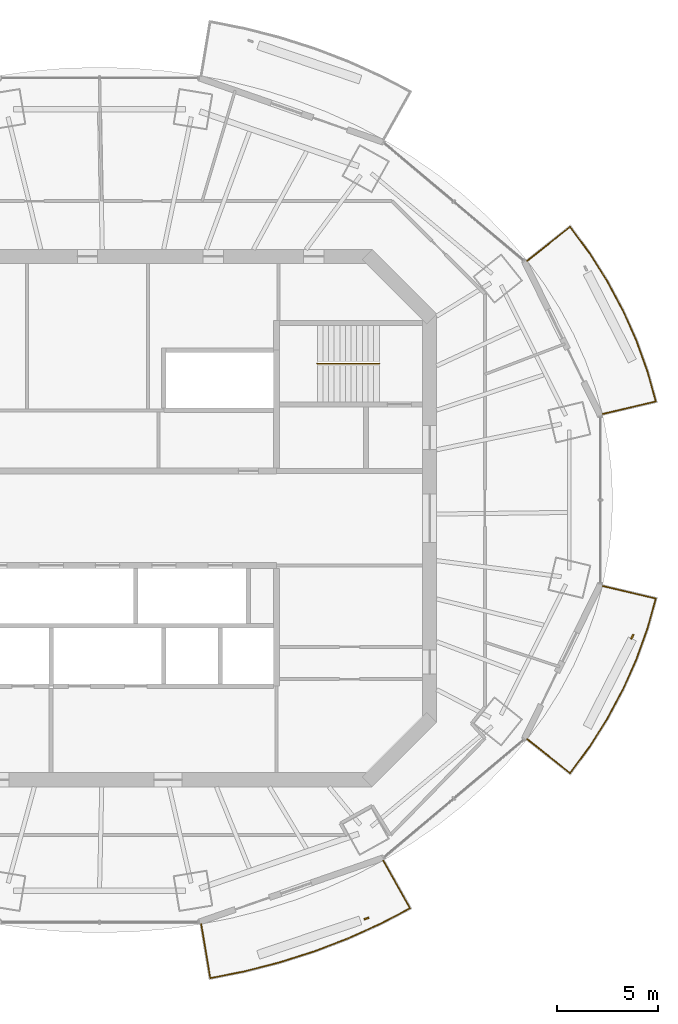
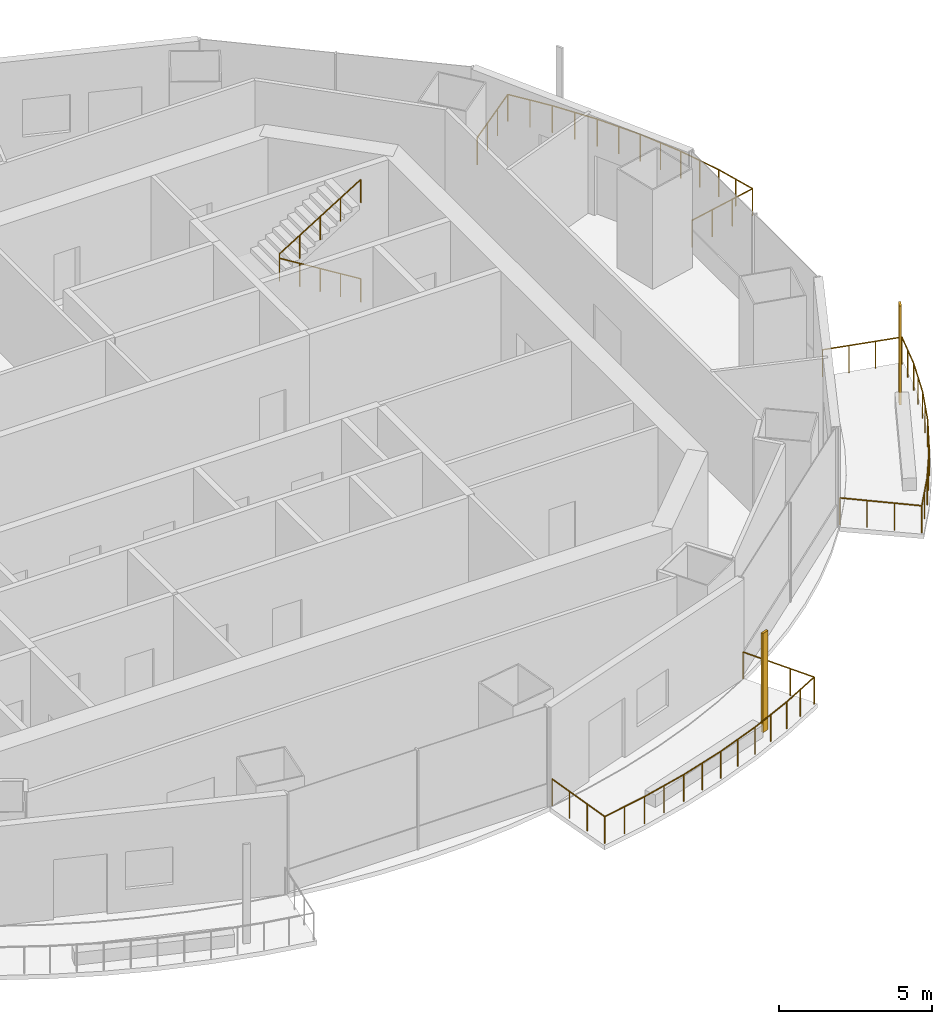
# One storey, part 13 of 15: 4 railings, 2 shading devices.
"""IFC4 building model written with IfcOpenShell, lengths in metres."""

from ifc_helpers import new_model, si_unit, direction, frame, origin, origin_2d, place, context, subcontext, project, spatial, rectangle, circle, extrude, material, material_profile, profile_set, type_object, element, save


model = new_model("IFC4")

# Units and contexts
model_context = context("Model", 3, precision=1e-05, world=origin(), true_north=direction((0.0, 1.0)))
body_context = subcontext(model_context, "Body", "Model", "MODEL_VIEW")
ifc_project = project(units=[si_unit("LENGTHUNIT", "METRE"), si_unit("AREAUNIT", "SQUARE_METRE"), si_unit("VOLUMEUNIT", "CUBIC_METRE"), si_unit("PLANEANGLEUNIT", "RADIAN"), si_unit("MASSUNIT", "GRAM", prefix="KILO")], contexts=[model_context])

# Site, building, storey
site_placement = place(None, origin())
site = spatial("IfcSite", under=ifc_project, at=site_placement, CompositionType="ELEMENT")
building_placement = place(site_placement, origin())
building = spatial("IfcBuilding", under=site, at=building_placement, Name="Marenthal Gate Tower", CompositionType="ELEMENT")
storey_placement = place(building_placement, frame((0.0, 0.0, 384.10009765625)))
storey = spatial("IfcBuildingStorey", under=building, at=storey_placement, Name="L87", CompositionType="ELEMENT", Elevation=384.10009765625)

# Railings
ifc_material_1 = material(Name="Stainless steel", Category="steel")
railing_type_1 = type_object("IfcRailingType", Name="Balcony guard 1100", PredefinedType="GUARDRAIL", material=ifc_material_1)
railing_1_placement = place(storey_placement, frame((20.852294921875, 12.781982421875, 0.0)))
element("IfcRailing", 1, at=railing_1_placement, inside=storey, type_object=railing_type_1, Name="Balcony guard L87 bay 1", PredefinedType="GUARDRAIL", context=body_context, shape_type="SweptSolid", body=[
    extrude(circle(Radius=0.02392578125, at=origin_2d()), frame((0.0, 0.0, 1.076171875), z_axis=(0.783926319527, 0.620679384756, -0.014718250304), x_axis=(-0.620746623604, 0.784011243085, 0.0)), (0.0, 0.0, 1.0), 2.720458984375),
    extrude(circle(Radius=0.02392578125, at=origin_2d()), frame((2.132568359375, 1.6884765625, 1.0361328125), z_axis=(0.592007425155, -0.805932508689, 0.0), x_axis=(0.805932508689, 0.592007425155, 0.0)), (0.0, 0.0, 1.0), 1.59423828125),
    extrude(circle(Radius=0.02392578125, at=origin_2d()), frame((3.076416015625, 0.403564453125, 1.0361328125), z_axis=(0.53537343379, -0.844615466583, 0.0), x_axis=(0.844615466583, 0.53537343379, 0.0)), (0.0, 0.0, 1.0), 1.66259765625),
    extrude(circle(Radius=0.02392578125, at=origin_2d()), frame((3.966552734375, -1.000732421875, 1.0361328125), z_axis=(0.473324157966, -0.880888325207, 0.0), x_axis=(0.880888325207, 0.473324157966, 0.0)), (0.0, 0.0, 1.0), 1.652099609375),
    extrude(circle(Radius=0.02392578125, at=origin_2d()), frame((4.74853515625, -2.4560546875, 1.0361328125), z_axis=(0.407489302834, -0.913209980276, 0.0), x_axis=(0.913209980276, 0.407489302834, 0.0)), (0.0, 0.0, 1.0), 1.642822265625),
    extrude(circle(Radius=0.02392578125, at=origin_2d()), frame((5.41796875, -3.956298828125, 1.0361328125), z_axis=(0.338587245769, -0.940935001476, 0.0), x_axis=(0.940935001476, 0.338587245769, 0.0)), (0.0, 0.0, 1.0), 1.634521484375),
    extrude(circle(Radius=0.02392578125, at=origin_2d()), frame((5.971435546875, -5.494384765625, 1.0361328125), z_axis=(0.268237537757, -0.963352803151, 0.0), x_axis=(0.963352803151, 0.268237537757, 0.0)), (0.0, 0.0, 1.0), 1.548095703125),
    extrude(circle(Radius=0.02392578125, at=origin_2d()), frame((6.38671875, -6.98583984375, 1.0361328125), z_axis=(-0.973242229013, -0.229309654659, 0.014718897598), x_axis=(0.2293344982, -0.973347670637, 0.0)), (0.0, 0.0, 1.0), 2.72021484375),
    extrude(circle(Radius=0.02099609375, at=origin_2d()), origin(), (0.0, 0.0, 1.0), 1.052001953125),
    extrude(circle(Radius=0.02099609375, at=origin_2d()), frame((0.7109375, 0.562744140625, -0.013427734375)), (0.0, 0.0, 1.0), 1.052001953125),
    extrude(circle(Radius=0.02099609375, at=origin_2d()), frame((1.421630859375, 1.125732421875, -0.026611328125)), (0.0, 0.0, 1.0), 1.052001953125),
    extrude(circle(Radius=0.02099609375, at=origin_2d()), frame((2.132568359375, 1.6884765625, -0.0400390625)), (0.0, 0.0, 1.0), 1.052001953125),
    extrude(circle(Radius=0.02099609375, at=origin_2d()), frame((2.6044921875, 1.0458984375, -0.0400390625)), (0.0, 0.0, 1.0), 1.052001953125),
    extrude(circle(Radius=0.02099609375, at=origin_2d()), frame((3.076416015625, 0.403564453125, -0.0400390625)), (0.0, 0.0, 1.0), 1.052001953125),
    extrude(circle(Radius=0.02099609375, at=origin_2d()), frame((3.521484375, -0.298583984375, -0.0400390625)), (0.0, 0.0, 1.0), 1.052001953125),
    extrude(circle(Radius=0.02099609375, at=origin_2d()), frame((3.966552734375, -1.000732421875, -0.0400390625)), (0.0, 0.0, 1.0), 1.052001953125),
    extrude(circle(Radius=0.02099609375, at=origin_2d()), frame((4.357421875, -1.728515625, -0.0400390625)), (0.0, 0.0, 1.0), 1.052001953125),
    extrude(circle(Radius=0.02099609375, at=origin_2d()), frame((4.74853515625, -2.4560546875, -0.0400390625)), (0.0, 0.0, 1.0), 1.052001953125),
    extrude(circle(Radius=0.02099609375, at=origin_2d()), frame((5.083251953125, -3.2060546875, -0.0400390625)), (0.0, 0.0, 1.0), 1.052001953125),
    extrude(circle(Radius=0.02099609375, at=origin_2d()), frame((5.41796875, -3.956298828125, -0.0400390625)), (0.0, 0.0, 1.0), 1.052001953125),
    extrude(circle(Radius=0.02099609375, at=origin_2d()), frame((5.69482421875, -4.725341796875, -0.0400390625)), (0.0, 0.0, 1.0), 1.052001953125),
    extrude(circle(Radius=0.02099609375, at=origin_2d()), frame((5.971435546875, -5.494384765625, -0.0400390625)), (0.0, 0.0, 1.0), 1.052001953125),
    extrude(circle(Radius=0.02099609375, at=origin_2d()), frame((6.17919921875, -6.240234375, -0.0400390625)), (0.0, 0.0, 1.0), 1.052001953125),
    extrude(circle(Radius=0.02099609375, at=origin_2d()), frame((6.38671875, -6.98583984375, -0.0400390625)), (0.0, 0.0, 1.0), 1.052001953125),
    extrude(circle(Radius=0.02099609375, at=origin_2d()), frame((5.504150390625, -7.19384765625, -0.026611328125)), (0.0, 0.0, 1.0), 1.052001953125),
    extrude(circle(Radius=0.02099609375, at=origin_2d()), frame((4.621826171875, -7.401611328125, -0.013427734375)), (0.0, 0.0, 1.0), 1.052001953125),
    extrude(circle(Radius=0.02099609375, at=origin_2d()), frame((3.7392578125, -7.609619140625, 0.0)), (0.0, 0.0, 1.0), 1.052001953125),
])
railing_2_placement = place(storey_placement, frame((13.697265625, -17.015869140625, 0.0)))
element("IfcRailing", 2, at=railing_2_placement, inside=storey, type_object=railing_type_1, Name="Balcony guard L87 bay 13", PredefinedType="GUARDRAIL", context=body_context, shape_type="SweptSolid", body=[
    extrude(circle(Radius=0.02392578125, at=origin_2d()), frame((0.0, 0.0, 1.076171875), z_axis=(0.491196386037, -0.87092448933, -0.014718839267), x_axis=(0.871018845044, 0.491249602115, 0.0)), (0.0, 0.0, 1.0), 2.72021484375),
    extrude(circle(Radius=0.02392578125, at=origin_2d()), frame((1.336181640625, -2.369140625, 1.0361328125), z_axis=(-0.88630797914, -0.463096281688, 0.0), x_axis=(0.463096281688, -0.88630797914, 0.0)), (0.0, 0.0, 1.0), 1.683349609375),
    extrude(circle(Radius=0.02392578125, at=origin_2d()), frame((-0.15576171875, -3.148681640625, 1.0361328125), z_axis=(-0.911620111455, -0.411033784975, 0.0), x_axis=(0.411033784975, -0.911620111455, 0.0)), (0.0, 0.0, 1.0), 1.774658203125),
    extrude(circle(Radius=0.02392578125, at=origin_2d()), frame((-1.773681640625, -3.878173828125, 1.0361328125), z_axis=(-0.934164510517, -0.356842636594, 0.0), x_axis=(0.356842636594, -0.934164510517, 0.0)), (0.0, 0.0, 1.0), 1.784912109375),
    extrude(circle(Radius=0.02392578125, at=origin_2d()), frame((-3.441162109375, -4.51513671875, 1.0361328125), z_axis=(-0.95315602873, -0.30247906522, 0.0), x_axis=(0.30247906522, -0.95315602873, 0.0)), (0.0, 0.0, 1.0), 1.794189453125),
    extrude(circle(Radius=0.02392578125, at=origin_2d()), frame((-5.1513671875, -5.057861328125, 1.0361328125), z_axis=(-0.968789088547, -0.247886469804, 0.0), x_axis=(0.247886469804, -0.968789088547, 0.0)), (0.0, 0.0, 1.0), 1.80224609375),
    extrude(circle(Radius=0.02392578125, at=origin_2d()), frame((-6.8974609375, -5.504638671875, 1.0361328125), z_axis=(-0.980964438723, -0.194187460876, 0.0), x_axis=(0.194187460876, -0.980964438723, 0.0)), (0.0, 0.0, 1.0), 1.728759765625),
    extrude(circle(Radius=0.02392578125, at=origin_2d()), frame((-8.59326171875, -5.84033203125, 1.0361328125), z_axis=(-0.16548710572, 0.986102124538, 0.014717942157), x_axis=(-0.98620894554, -0.16550503236, 0.0)), (0.0, 0.0, 1.0), 2.720458984375),
    extrude(circle(Radius=0.02099609375, at=origin_2d()), origin(), (0.0, 0.0, 1.0), 1.052001953125),
    extrude(circle(Radius=0.02099609375, at=origin_2d()), frame((0.4453125, -0.789794921875, -0.013427734375)), (0.0, 0.0, 1.0), 1.052001953125),
    extrude(circle(Radius=0.02099609375, at=origin_2d()), frame((0.890869140625, -1.579345703125, -0.026611328125)), (0.0, 0.0, 1.0), 1.052001953125),
    extrude(circle(Radius=0.02099609375, at=origin_2d()), frame((1.336181640625, -2.369140625, -0.0400390625)), (0.0, 0.0, 1.0), 1.052001953125),
    extrude(circle(Radius=0.02099609375, at=origin_2d()), frame((0.59033203125, -2.7587890625, -0.0400390625)), (0.0, 0.0, 1.0), 1.052001953125),
    extrude(circle(Radius=0.02099609375, at=origin_2d()), frame((-0.15576171875, -3.148681640625, -0.0400390625)), (0.0, 0.0, 1.0), 1.052001953125),
    extrude(circle(Radius=0.02099609375, at=origin_2d()), frame((-0.96484375, -3.513427734375, -0.0400390625)), (0.0, 0.0, 1.0), 1.052001953125),
    extrude(circle(Radius=0.02099609375, at=origin_2d()), frame((-1.773681640625, -3.878173828125, -0.0400390625)), (0.0, 0.0, 1.0), 1.052001953125),
    extrude(circle(Radius=0.02099609375, at=origin_2d()), frame((-2.607421875, -4.19677734375, -0.0400390625)), (0.0, 0.0, 1.0), 1.052001953125),
    extrude(circle(Radius=0.02099609375, at=origin_2d()), frame((-3.441162109375, -4.51513671875, -0.0400390625)), (0.0, 0.0, 1.0), 1.052001953125),
    extrude(circle(Radius=0.02099609375, at=origin_2d()), frame((-4.29638671875, -4.78662109375, -0.0400390625)), (0.0, 0.0, 1.0), 1.052001953125),
    extrude(circle(Radius=0.02099609375, at=origin_2d()), frame((-5.1513671875, -5.057861328125, -0.0400390625)), (0.0, 0.0, 1.0), 1.052001953125),
    extrude(circle(Radius=0.02099609375, at=origin_2d()), frame((-6.0244140625, -5.28125, -0.0400390625)), (0.0, 0.0, 1.0), 1.052001953125),
    extrude(circle(Radius=0.02099609375, at=origin_2d()), frame((-6.8974609375, -5.504638671875, -0.0400390625)), (0.0, 0.0, 1.0), 1.052001953125),
    extrude(circle(Radius=0.02099609375, at=origin_2d()), frame((-7.745361328125, -5.67236328125, -0.0400390625)), (0.0, 0.0, 1.0), 1.052001953125),
    extrude(circle(Radius=0.02099609375, at=origin_2d()), frame((-8.59326171875, -5.84033203125, -0.0400390625)), (0.0, 0.0, 1.0), 1.052001953125),
    extrude(circle(Radius=0.02099609375, at=origin_2d()), frame((-8.743408203125, -4.946044921875, -0.026611328125)), (0.0, 0.0, 1.0), 1.052001953125),
    extrude(circle(Radius=0.02099609375, at=origin_2d()), frame((-8.893310546875, -4.052001953125, -0.013427734375)), (0.0, 0.0, 1.0), 1.052001953125),
    extrude(circle(Radius=0.02099609375, at=origin_2d()), frame((-9.04345703125, -3.15771484375, 0.0)), (0.0, 0.0, 1.0), 1.052001953125),
])
railing_3_placement = place(storey_placement, frame((24.591552734375, -3.372314453125, 0.0)))
element("IfcRailing", 3, at=railing_3_placement, inside=storey, type_object=railing_type_1, Name="Balcony guard L87 bay 15", PredefinedType="GUARDRAIL", context=body_context, shape_type="SweptSolid", body=[
    extrude(circle(Radius=0.02392578125, at=origin_2d()), frame((0.0, 0.0, 1.076171875), z_axis=(0.973242229013, -0.229309654659, -0.014718897598), x_axis=(0.2293344982, 0.973347670637, 0.0)), (0.0, 0.0, 1.0), 2.72021484375),
    extrude(circle(Radius=0.02392578125, at=origin_2d()), frame((2.6474609375, -0.623779296875, 1.0361328125), z_axis=(-0.268237537757, -0.963352803151, 0.0), x_axis=(0.963352803151, -0.268237537757, 0.0)), (0.0, 0.0, 1.0), 1.548095703125),
    extrude(circle(Radius=0.02392578125, at=origin_2d()), frame((2.232177734375, -2.115234375, 1.0361328125), z_axis=(-0.338587245769, -0.940935001476, 0.0), x_axis=(0.940935001476, -0.338587245769, 0.0)), (0.0, 0.0, 1.0), 1.634521484375),
    extrude(circle(Radius=0.02392578125, at=origin_2d()), frame((1.6787109375, -3.6533203125, 1.0361328125), z_axis=(-0.407489302834, -0.913209980276, 0.0), x_axis=(0.913209980276, -0.407489302834, 0.0)), (0.0, 0.0, 1.0), 1.642822265625),
    extrude(circle(Radius=0.02392578125, at=origin_2d()), frame((1.00927734375, -5.153564453125, 1.0361328125), z_axis=(-0.473324157966, -0.880888325207, 0.0), x_axis=(0.880888325207, -0.473324157966, 0.0)), (0.0, 0.0, 1.0), 1.652099609375),
    extrude(circle(Radius=0.02392578125, at=origin_2d()), frame((0.227294921875, -6.60888671875, 1.0361328125), z_axis=(-0.535307042217, -0.844657546318, 0.0), x_axis=(0.844657546318, -0.535307042217, 0.0)), (0.0, 0.0, 1.0), 1.662841796875),
    extrude(circle(Radius=0.02392578125, at=origin_2d()), frame((-0.662841796875, -8.013427734375, 1.0361328125), z_axis=(-0.592080493668, -0.805878830233, 0.0), x_axis=(0.805878830233, -0.592080493668, 0.0)), (0.0, 0.0, 1.0), 1.59423828125),
    extrude(circle(Radius=0.02392578125, at=origin_2d()), frame((-1.606689453125, -9.298095703125, 1.0361328125), z_axis=(-0.783969987174, 0.620624208507, 0.014719070166), x_axis=(-0.620691448869, -0.784054924926, 0.0)), (0.0, 0.0, 1.0), 2.72021484375),
    extrude(circle(Radius=0.02099609375, at=origin_2d()), origin(), (0.0, 0.0, 1.0), 1.052001953125),
    extrude(circle(Radius=0.02099609375, at=origin_2d()), frame((0.882568359375, -0.2080078125, -0.013427734375)), (0.0, 0.0, 1.0), 1.052001953125),
    extrude(circle(Radius=0.02099609375, at=origin_2d()), frame((1.764892578125, -0.415771484375, -0.026611328125)), (0.0, 0.0, 1.0), 1.052001953125),
    extrude(circle(Radius=0.02099609375, at=origin_2d()), frame((2.6474609375, -0.623779296875, -0.0400390625)), (0.0, 0.0, 1.0), 1.052001953125),
    extrude(circle(Radius=0.02099609375, at=origin_2d()), frame((2.43994140625, -1.36962890625, -0.0400390625)), (0.0, 0.0, 1.0), 1.052001953125),
    extrude(circle(Radius=0.02099609375, at=origin_2d()), frame((2.232177734375, -2.115234375, -0.0400390625)), (0.0, 0.0, 1.0), 1.052001953125),
    extrude(circle(Radius=0.02099609375, at=origin_2d()), frame((1.95556640625, -2.88427734375, -0.0400390625)), (0.0, 0.0, 1.0), 1.052001953125),
    extrude(circle(Radius=0.02099609375, at=origin_2d()), frame((1.6787109375, -3.6533203125, -0.0400390625)), (0.0, 0.0, 1.0), 1.052001953125),
    extrude(circle(Radius=0.02099609375, at=origin_2d()), frame((1.343994140625, -4.4033203125, -0.0400390625)), (0.0, 0.0, 1.0), 1.052001953125),
    extrude(circle(Radius=0.02099609375, at=origin_2d()), frame((1.00927734375, -5.153564453125, -0.0400390625)), (0.0, 0.0, 1.0), 1.052001953125),
    extrude(circle(Radius=0.02099609375, at=origin_2d()), frame((0.6181640625, -5.88134765625, -0.0400390625)), (0.0, 0.0, 1.0), 1.052001953125),
    extrude(circle(Radius=0.02099609375, at=origin_2d()), frame((0.227294921875, -6.60888671875, -0.0400390625)), (0.0, 0.0, 1.0), 1.052001953125),
    extrude(circle(Radius=0.02099609375, at=origin_2d()), frame((-0.2177734375, -7.31103515625, -0.0400390625)), (0.0, 0.0, 1.0), 1.052001953125),
    extrude(circle(Radius=0.02099609375, at=origin_2d()), frame((-0.662841796875, -8.013427734375, -0.0400390625)), (0.0, 0.0, 1.0), 1.052001953125),
    extrude(circle(Radius=0.02099609375, at=origin_2d()), frame((-1.134765625, -8.65576171875, -0.0400390625)), (0.0, 0.0, 1.0), 1.052001953125),
    extrude(circle(Radius=0.02099609375, at=origin_2d()), frame((-1.606689453125, -9.298095703125, -0.0400390625)), (0.0, 0.0, 1.0), 1.052001953125),
    extrude(circle(Radius=0.02099609375, at=origin_2d()), frame((-2.317626953125, -8.7353515625, -0.026611328125)), (0.0, 0.0, 1.0), 1.052001953125),
    extrude(circle(Radius=0.02099609375, at=origin_2d()), frame((-3.0283203125, -8.172607421875, -0.013427734375)), (0.0, 0.0, 1.0), 1.052001953125),
    extrude(circle(Radius=0.02099609375, at=origin_2d()), frame((-3.7392578125, -7.60986328125, 0.0)), (0.0, 0.0, 1.0), 1.052001953125),
])
ifc_material_2 = material(Name="Stainless steel", Category="steel")
railing_type_2 = type_object("IfcRailingType", Name="Stair handrail", PredefinedType="HANDRAIL", material=ifc_material_2)
railing_4_placement = place(storey_placement, frame((13.5, 7.675048828125, 0.1728515625)))
element("IfcRailing", 4, at=railing_4_placement, inside=storey, type_object=railing_type_2, Name="Handrail ST3", PredefinedType="HANDRAIL", context=body_context, shape_type="SweptSolid", body=[
    extrude(circle(Radius=0.0224609375, at=origin_2d()), frame((0.0, 0.0, 0.927490234375), z_axis=(-0.850835241893, 0.0, 0.525432575268), x_axis=(0.0, -1.0, 0.0)), (0.0, 0.0, 1.0), 3.6201171875),
    extrude(circle(Radius=0.0224609375, at=origin_2d()), frame((-3.080078125, 0.0, 2.82958984375), z_axis=(0.0, 0.0, 1.0), x_axis=(1.0, 0.0, 0.0)), (0.0, 0.0, 1.0), 0.1728515625),
    extrude(circle(Radius=0.0224609375, at=origin_2d()), frame((-3.080078125, 0.0, 3.00244140625), z_axis=(0.850835241893, 0.0, 0.525432575268), x_axis=(0.0, 1.0, 0.0)), (0.0, 0.0, 1.0), 3.6201171875),
    extrude(circle(Radius=0.02001953125, at=origin_2d()), origin(), (0.0, 0.0, 1.0), 0.905029296875),
    extrude(circle(Radius=0.02001953125, at=origin_2d()), frame((-0.77001953125, 0.0, 0.4755859375)), (0.0, 0.0, 1.0), 0.905029296875),
    extrude(circle(Radius=0.02001953125, at=origin_2d()), frame((-1.5400390625, 0.0, 0.951171875)), (0.0, 0.0, 1.0), 0.905029296875),
    extrude(circle(Radius=0.02001953125, at=origin_2d()), frame((-2.31005859375, 0.0, 1.426513671875)), (0.0, 0.0, 1.0), 0.905029296875),
    extrude(circle(Radius=0.02001953125, at=origin_2d()), frame((-3.080078125, 0.0, 1.902099609375)), (0.0, 0.0, 1.0), 0.905029296875),
    extrude(circle(Radius=0.02001953125, at=origin_2d()), frame((-3.080078125, 0.0, 2.074951171875)), (0.0, 0.0, 1.0), 0.905029296875),
    extrude(circle(Radius=0.02001953125, at=origin_2d()), frame((-2.31005859375, 0.0, 2.550537109375)), (0.0, 0.0, 1.0), 0.905029296875),
    extrude(circle(Radius=0.02001953125, at=origin_2d()), frame((-1.5400390625, 0.0, 3.02587890625)), (0.0, 0.0, 1.0), 0.905029296875),
    extrude(circle(Radius=0.02001953125, at=origin_2d()), frame((-0.77001953125, 0.0, 3.50146484375)), (0.0, 0.0, 1.0), 0.905029296875),
    extrude(circle(Radius=0.02001953125, at=origin_2d()), frame((0.0, 0.0, 3.97705078125)), (0.0, 0.0, 1.0), 0.905029296875),
])

# Shading devices
ifc_material_3 = material(Name="Terracotta", Category="masonry")
ifc_material_profile = material_profile(ifc_material_3, rectangle(XDim=0.25, YDim=0.080078125, at=origin_2d()), Name="Terracotta baguette 250x80")
ifc_profile_set = profile_set([ifc_material_profile], Name="Terracotta")
shading_device_type = type_object("IfcShadingDeviceType", Name="Terracotta BAGUETTE SCREEN 250x80", PredefinedType="USERDEFINED", material=ifc_profile_set)
for number, where, z_axis, x_axis, name in (
    (5, (12.864990234375, -19.89501953125, -0.0400390625), (0.0, 0.0, 1.0), (0.944044940534, 0.329816843494, 0.0), "Terracotta BAGUETTE L87 bay 13R"),
    (6, (26.071533203125, -5.892822265625, -0.0400390625), (0.0, 0.0, 1.0), (0.440810069048, 0.897600402755, 0.0), "Terracotta BAGUETTE L87 bay 15R"),
):
    element("IfcShadingDevice", number, at=place(storey_placement, frame(where, z_axis=z_axis, x_axis=x_axis)), inside=storey, type_object=shading_device_type, Name=name, ObjectType="BAGUETTE SCREEN", PredefinedType="USERDEFINED", context=body_context, shape_type="SweptSolid", body=[
        extrude(rectangle(XDim=0.25, YDim=0.080078125, at=origin_2d()), origin(), (0.0, 0.0, 1.0), 3.969970703125),
    ])

save(model, "model.ifc")
